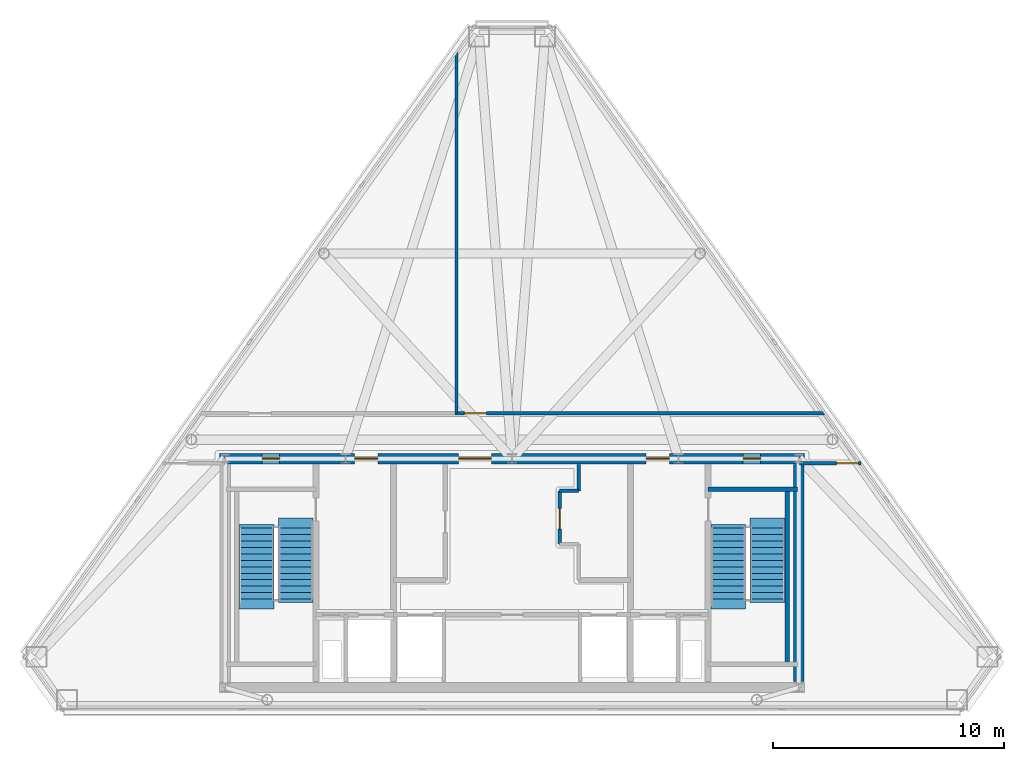
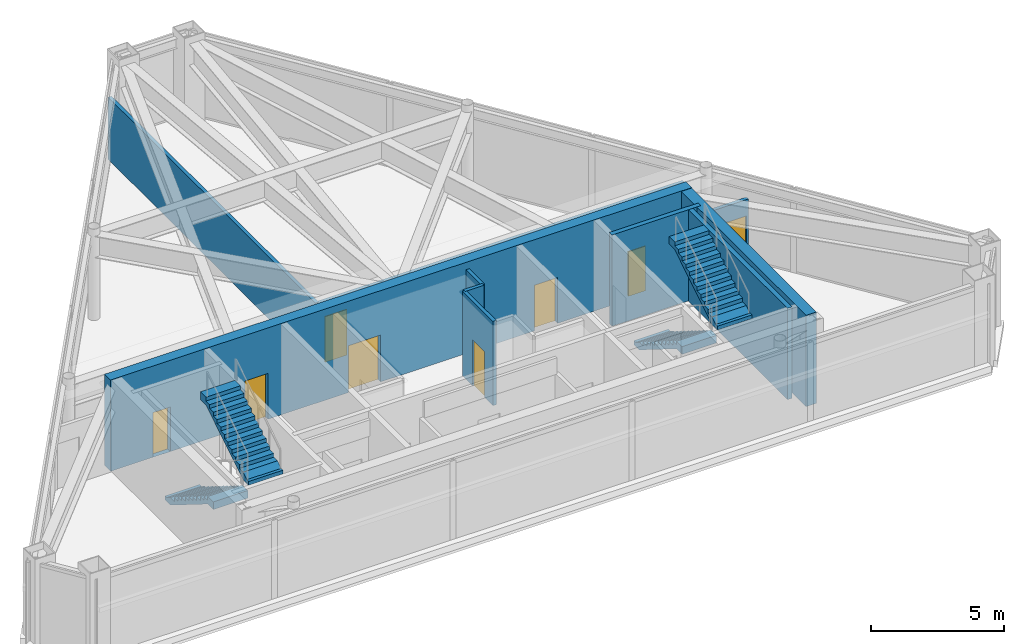
# One storey, part 4 of 5: 10 walls, 8 doors, 4 stair flights, 8 openings, 2 elements without a shape of their own.
"""IFC4 building model written with IfcOpenShell, lengths in metres."""

from ifc_helpers import new_model, si_unit, direction, frame, frame_2d, origin, place, context, subcontext, project, spatial, polyline, rectangle, outline, extrude, material, layer, layer_set, type_object, element, fill, aggregate, save


model = new_model("IFC4")

# Units and contexts
model_context = context("Model", 3, precision=1e-05, world=origin(), true_north=direction((0.0, 1.0)))
body_context = subcontext(model_context, "Body", "Model", "MODEL_VIEW")
ifc_project = project(units=[si_unit("LENGTHUNIT", "METRE"), si_unit("AREAUNIT", "SQUARE_METRE"), si_unit("VOLUMEUNIT", "CUBIC_METRE"), si_unit("PLANEANGLEUNIT", "RADIAN"), si_unit("MASSUNIT", "GRAM", prefix="KILO")], contexts=[model_context])

# Site, building, storey
site_placement = place(None, origin())
site = spatial("IfcSite", under=ifc_project, at=site_placement, CompositionType="ELEMENT")
building_placement = place(site_placement, origin())
building = spatial("IfcBuilding", under=site, at=building_placement, Name="Talgorran Terracotta Tower", CompositionType="ELEMENT")
storey_placement = place(building_placement, frame((0.0, 0.0, 297.60009765625)))
storey = spatial("IfcBuildingStorey", under=building, at=storey_placement, Name="L78", CompositionType="ELEMENT", Elevation=297.60009765625)

# Walls
ifc_material_1 = material(Name="Concrete C50/60", Category="concrete")
ifc_layer_1 = layer(ifc_material_1, 0.199951171875, Name="WT_CORE_200")
ifc_layer_set_1 = layer_set([ifc_layer_1], Name="Concrete C50/60")
wall_type_1 = type_object("IfcWallType", Name="WT_CORE_200", PredefinedType="SOLIDWALL", material=ifc_layer_set_1)
wall_1_placement = place(storey_placement, frame((8.47998046875, -5.52001953125, 0.0), z_axis=(0.0, 0.0, 1.0), x_axis=(1.0, 0.0, 0.0)))
element("IfcWall", 1, at=wall_1_placement, inside=storey, type_object=wall_type_1, Name="WL-L78-CW-ST2-N", PredefinedType="SOLIDWALL", context=body_context, shape_type="SweptSolid", body=[
    extrude(rectangle(XDim=3.8701171875, YDim=0.199951171875, at=frame_2d((1.93505859375, 0.0))), origin(), (0.0, 0.0, 1.0), 4.199951171875),
])
wall_2_placement = place(storey_placement, frame((11.89990234375, -13.10009765625, 0.0), z_axis=(0.0, 0.0, 1.0), x_axis=(0.0, 1.0, 0.0)))
element("IfcWall", 2, at=wall_2_placement, inside=storey, type_object=wall_type_1, Name="WL-L78-CW-ST2-E", PredefinedType="SOLIDWALL", context=body_context, shape_type="SweptSolid", body=[
    extrude(rectangle(XDim=7.580078125, YDim=0.199951171875, at=frame_2d((3.7900390625, 0.0))), origin(), (0.0, 0.0, 1.0), 4.199951171875),
])

# Wall, openings, doors
ifc_material_2 = material(Name="Concrete C65/80", Category="concrete")
ifc_layer_2 = layer(ifc_material_2, 0.449951171875, Name="WT_CORE_EXT")
ifc_layer_set_2 = layer_set([ifc_layer_2], Name="Concrete C65/80")
wall_type_2 = type_object("IfcWallType", Name="WT_CORE_EXT", PredefinedType="SHEAR", material=ifc_layer_set_2)
wall_3_placement = place(storey_placement, frame((-12.64990234375, -4.199951171875, 0.0), z_axis=(0.0, 0.0, 1.0), x_axis=(1.0, 0.0, 0.0)))
wall_3 = element("IfcWall", 3, at=wall_3_placement, inside=storey, type_object=wall_type_2, Name="WL-L78-CW-OUT-N", PredefinedType="SHEAR", context=body_context, shape_type="SweptSolid", body=[
    extrude(rectangle(XDim=25.2998046875, YDim=0.449951171875, at=frame_2d((12.64990234375, 0.0))), origin(), (0.0, 0.0, 1.0), 4.199951171875),
])
opening_1_placement = place(wall_3_placement, frame((1.85009765625, 0.0, 0.0)))
opening_1 = element("IfcOpeningElement", 4, at=opening_1_placement, cuts=wall_3, Name="Opening DR-CSN1", PredefinedType="OPENING", context=body_context, shape_type="SweptSolid", body=[
    extrude(rectangle(XDim=0.756, YDim=2.054048828125, at=frame_2d((0.375, 1.027099609375))), frame((0.0, 0.23486328125, 0.0), z_axis=(0.0, -1.0, 0.0), x_axis=(1.0, 0.0, 0.0)), (0.0, 0.0, 1.0), 0.469970703125),
])
opening_2_placement = place(wall_3_placement, frame((22.64990234375, 0.0, 0.0)))
opening_2 = element("IfcOpeningElement", 5, at=opening_2_placement, cuts=wall_3, Name="Opening DR-CSN2", PredefinedType="OPENING", context=body_context, shape_type="SweptSolid", body=[
    extrude(rectangle(XDim=0.756, YDim=2.054048828125, at=frame_2d((0.375, 1.027099609375))), frame((0.0, 0.23486328125, 0.0), z_axis=(0.0, -1.0, 0.0), x_axis=(1.0, 0.0, 0.0)), (0.0, 0.0, 1.0), 0.469970703125),
])
opening_3_placement = place(wall_3_placement, frame((5.85009765625, 0.0, 0.0)))
opening_3 = element("IfcOpeningElement", 6, at=opening_3_placement, cuts=wall_3, Name="Opening DR-FFLW-N", PredefinedType="OPENING", context=body_context, shape_type="SweptSolid", body=[
    extrude(rectangle(XDim=1.006, YDim=2.10409765625, at=frame_2d((0.5, 1.052001953125))), frame((0.0, 0.23486328125, 0.0), z_axis=(0.0, -1.0, 0.0), x_axis=(1.0, 0.0, 0.0)), (0.0, 0.0, 1.0), 0.469970703125),
])
opening_4_placement = place(wall_3_placement, frame((10.35009765625, 0.0, 0.0)))
opening_4 = element("IfcOpeningElement", 7, at=opening_4_placement, cuts=wall_3, Name="Opening DR-PLL-N", PredefinedType="OPENING", context=body_context, shape_type="SweptSolid", body=[
    extrude(rectangle(XDim=1.40590234375, YDim=2.15390234375, at=frame_2d((0.699951171875, 1.076904296875))), frame((0.0, 0.23486328125, 0.0), z_axis=(0.0, -1.0, 0.0), x_axis=(1.0, 0.0, 0.0)), (0.0, 0.0, 1.0), 0.469970703125),
])
opening_5_placement = place(wall_3_placement, frame((18.449951171875, 0.0, 0.0)))
opening_5 = element("IfcOpeningElement", 8, at=opening_5_placement, cuts=wall_3, Name="Opening DR-FFLE-N", PredefinedType="OPENING", context=body_context, shape_type="SweptSolid", body=[
    extrude(rectangle(XDim=1.006, YDim=2.10409765625, at=frame_2d((0.5, 1.052001953125))), frame((0.0, 0.23486328125, 0.0), z_axis=(0.0, -1.0, 0.0), x_axis=(1.0, 0.0, 0.0)), (0.0, 0.0, 1.0), 0.469970703125),
])
ifc_material_3 = material(Name="Acoustic Glazed Timber", Category="wood")
door_type_1 = type_object("IfcDoorType", Name="DT_DOUBLE_1400", OperationType="DOUBLE_DOOR_SINGLE_SWING", PredefinedType="DOOR", material=ifc_material_3)
door_1_placement = place(opening_4_placement, origin())
door_1 = element("IfcDoor", 9, at=door_1_placement, inside=storey, type_object=door_type_1, Name="DR-PLL-N", OperationType="DOUBLE_DOOR_SINGLE_SWING", OverallHeight=2.14990234375, OverallWidth=1.39990234375, PredefinedType="DOOR", context=body_context, shape_type="SweptSolid", body=[
    extrude(rectangle(XDim=1.39990234375, YDim=2.14990234375, at=frame_2d((0.699951171875, 1.074951171875))), frame((0.0, 0.02490234375, 0.0), z_axis=(0.0, -1.0, 0.0), x_axis=(1.0, 0.0, 0.0)), (0.0, 0.0, 1.0), 0.050048828125),
])
fill(opening_4, door_1)
ifc_material_4 = material(Name="Fire-Rated Pressed Steel", Category="steel")
door_type_2 = type_object("IfcDoorType", Name="DT_FIRE_1000", OperationType="NOTDEFINED", PredefinedType="DOOR", material=ifc_material_4)
door_2_placement = place(opening_3_placement, origin())
door_2 = element("IfcDoor", 10, at=door_2_placement, inside=storey, type_object=door_type_2, Name="DR-FFLW-N", OperationType="SINGLE_SWING_LEFT", OverallHeight=2.10009765625, OverallWidth=1.0, PredefinedType="DOOR", context=body_context, shape_type="SweptSolid", body=[
    extrude(rectangle(XDim=1.0, YDim=2.10009765625, at=frame_2d((0.5, 1.050048828125))), frame((0.0, 0.02490234375, 0.0), z_axis=(0.0, -1.0, 0.0), x_axis=(1.0, 0.0, 0.0)), (0.0, 0.0, 1.0), 0.050048828125),
])
fill(opening_3, door_2)
door_3_placement = place(opening_5_placement, origin())
door_3 = element("IfcDoor", 11, at=door_3_placement, inside=storey, type_object=door_type_2, Name="DR-FFLE-N", OperationType="SINGLE_SWING_RIGHT", OverallHeight=2.10009765625, OverallWidth=1.0, PredefinedType="DOOR", context=body_context, shape_type="SweptSolid", body=[
    extrude(rectangle(XDim=1.0, YDim=2.10009765625, at=frame_2d((0.5, 1.050048828125))), frame((0.0, 0.02490234375, 0.0), z_axis=(0.0, -1.0, 0.0), x_axis=(1.0, 0.0, 0.0)), (0.0, 0.0, 1.0), 0.050048828125),
])
fill(opening_5, door_3)
door_type_3 = type_object("IfcDoorType", Name="DT_RISER_750", OperationType="NOTDEFINED", PredefinedType="DOOR", material=ifc_material_4)
door_4_placement = place(opening_1_placement, origin())
door_4 = element("IfcDoor", 12, at=door_4_placement, inside=storey, type_object=door_type_3, Name="DR-CSN1", OperationType="SINGLE_SWING_LEFT", OverallHeight=2.050048828125, OverallWidth=0.75, PredefinedType="DOOR", context=body_context, shape_type="SweptSolid", body=[
    extrude(rectangle(XDim=0.75, YDim=2.050048828125, at=frame_2d((0.375, 1.02490234375))), frame((0.0, 0.02490234375, 0.0), z_axis=(0.0, -1.0, 0.0), x_axis=(1.0, 0.0, 0.0)), (0.0, 0.0, 1.0), 0.050048828125),
])
fill(opening_1, door_4)
door_5_placement = place(opening_2_placement, origin())
door_5 = element("IfcDoor", 13, at=door_5_placement, inside=storey, type_object=door_type_3, Name="DR-CSN2", OperationType="SINGLE_SWING_RIGHT", OverallHeight=2.050048828125, OverallWidth=0.75, PredefinedType="DOOR", context=body_context, shape_type="SweptSolid", body=[
    extrude(rectangle(XDim=0.75, YDim=2.050048828125, at=frame_2d((0.375, 1.02490234375))), frame((0.0, 0.02490234375, 0.0), z_axis=(0.0, -1.0, 0.0), x_axis=(1.0, 0.0, 0.0)), (0.0, 0.0, 1.0), 0.050048828125),
])
fill(opening_2, door_5)

# Wall
wall_4_placement = place(storey_placement, frame((12.39990234375, -13.85009765625, 0.0), z_axis=(0.0, 0.0, 1.0), x_axis=(0.0, 1.0, 0.0)))
element("IfcWall", 14, at=wall_4_placement, inside=storey, type_object=wall_type_2, Name="WL-L78-CW-OUT-E", PredefinedType="SHEAR", context=body_context, shape_type="SweptSolid", body=[
    extrude(rectangle(XDim=9.400146484375, YDim=0.449951171875, at=frame_2d((4.7001953125, 0.0))), origin(), (0.0, 0.0, 1.0), 4.199951171875),
])

# Wall, opening, door
ifc_material_5 = material(Name="Fire-Rated Steel Stud Plasterboard", Category="steel")
ifc_layer_3 = layer(ifc_material_5, 0.14990234375, Name="WT_FIRE_150")
ifc_layer_set_3 = layer_set([ifc_layer_3], Name="Fire-Rated Steel Stud Plasterboard")
wall_type_3 = type_object("IfcWallType", Name="WT_FIRE_150", PredefinedType="PARTITIONING", material=ifc_layer_set_3)
wall_5_placement = place(storey_placement, frame((2.06005859375, -7.89990234375, 0.0), z_axis=(0.0, 0.0, 1.0), x_axis=(0.0, 1.0, 0.0)))
wall_5 = element("IfcWall", 15, at=wall_5_placement, inside=storey, type_object=wall_type_3, Name="WL-L78-CW-V-E3C", PredefinedType="PARTITIONING", context=body_context, shape_type="SweptSolid", body=[
    extrude(rectangle(XDim=2.2998046875, YDim=0.14990234375, at=frame_2d((1.14990234375, 0.0))), origin(), (0.0, 0.0, 1.0), 3.8798828125),
])
opening_6_placement = place(wall_5_placement, frame((0.64990234375, 0.0, 0.0)))
opening_6 = element("IfcOpeningElement", 16, at=opening_6_placement, cuts=wall_5, Name="Opening DR-FRPLM-B", PredefinedType="OPENING", context=body_context, shape_type="SweptSolid", body=[
    extrude(rectangle(XDim=0.8858828125, YDim=2.10409765625, at=frame_2d((0.43994140625, 1.052001953125))), frame((0.0, 0.0849609375, 0.0), z_axis=(0.0, -1.0, 0.0), x_axis=(1.0, 0.0, 0.0)), (0.0, 0.0, 1.0), 0.169921875),
])
ifc_material_6 = material(Name="Solid-Core Painted Timber", Category="wood")
door_type_4 = type_object("IfcDoorType", Name="DT_INT_880", OperationType="NOTDEFINED", PredefinedType="DOOR", material=ifc_material_6)
door_6_placement = place(opening_6_placement, origin())
door_6 = element("IfcDoor", 17, at=door_6_placement, inside=storey, type_object=door_type_4, Name="DR-FRPLM-B", OperationType="SINGLE_SWING_RIGHT", OverallHeight=2.10009765625, OverallWidth=0.8798828125, PredefinedType="DOOR", context=body_context, shape_type="SweptSolid", body=[
    extrude(rectangle(XDim=0.8798828125, YDim=2.10009765625, at=frame_2d((0.43994140625, 1.050048828125))), frame((0.0, 0.02490234375, 0.0), z_axis=(0.0, -1.0, 0.0), x_axis=(1.0, 0.0, 0.0)), (0.0, 0.0, 1.0), 0.050048828125),
])
fill(opening_6, door_6)

# Walls
wall_6_placement = place(storey_placement, frame((2.06005859375, -5.60009765625, 0.0), z_axis=(0.0, 0.0, 1.0), x_axis=(1.0, 0.0, 0.0)))
element("IfcWall", 18, at=wall_6_placement, inside=storey, type_object=wall_type_3, Name="WL-L78-CW-H-E3D", PredefinedType="PARTITIONING", context=body_context, shape_type="SweptSolid", body=[
    extrude(rectangle(XDim=0.81982421875, YDim=0.14990234375, at=frame_2d((0.409912109375, 0.0))), origin(), (0.0, 0.0, 1.0), 3.8798828125),
])
wall_7_placement = place(storey_placement, frame((2.8798828125, -5.60009765625, 0.0), z_axis=(0.0, 0.0, 1.0), x_axis=(0.0, 1.0, 0.0)))
element("IfcWall", 19, at=wall_7_placement, inside=storey, type_object=wall_type_3, Name="WL-L78-CW-V-E3E", PredefinedType="PARTITIONING", context=body_context, shape_type="SweptSolid", body=[
    extrude(rectangle(XDim=1.150146484375, YDim=0.14990234375, at=frame_2d((0.5751953125, 0.0))), origin(), (0.0, 0.0, 1.0), 3.8798828125),
])

# Wall, opening, door
wall_8_placement = place(storey_placement, frame((-2.4599609375, -2.239990234375, 0.0), z_axis=(0.0, 0.0, 1.0), x_axis=(1.0, 0.0, 0.0)))
wall_8 = element("IfcWall", 20, at=wall_8_placement, inside=storey, type_object=wall_type_3, Name="WL-L78-W-L78-R04", PredefinedType="PARTITIONING", context=body_context, shape_type="SweptSolid", body=[
    extrude(rectangle(XDim=16.002685546875, YDim=0.14990234375, at=frame_2d((8.00146484375, 0.0))), origin(), (0.0, 0.0, 1.0), 2.85498046875),
])
opening_7_placement = place(wall_8_placement, frame((0.39990234375, 0.0, 0.0)))
opening_7 = element("IfcOpeningElement", 21, at=opening_7_placement, cuts=wall_8, Name="Opening DR-L78-R04", PredefinedType="OPENING", context=body_context, shape_type="SweptSolid", body=[
    extrude(rectangle(XDim=0.955951171875, YDim=2.10409765625, at=frame_2d((0.47509765625, 1.052001953125))), frame((0.0, 0.0849609375, 0.0), z_axis=(0.0, -1.0, 0.0), x_axis=(1.0, 0.0, 0.0)), (0.0, 0.0, 1.0), 0.169921875),
])
ifc_material_7 = material(Name="Fire-Rated Timber Core", Category="wood")
door_type_5 = type_object("IfcDoorType", Name="DT_FIRE_950", OperationType="NOTDEFINED", PredefinedType="DOOR", material=ifc_material_7)
door_7_placement = place(opening_7_placement, origin())
door_7 = element("IfcDoor", 22, at=door_7_placement, inside=storey, type_object=door_type_5, Name="DR-L78-R04", OperationType="SINGLE_SWING_RIGHT", OverallHeight=2.10009765625, OverallWidth=0.949951171875, PredefinedType="DOOR", context=body_context, shape_type="SweptSolid", body=[
    extrude(rectangle(XDim=0.949951171875, YDim=2.10009765625, at=frame_2d((0.47509765625, 1.050048828125))), frame((0.0, 0.02490234375, 0.0), z_axis=(0.0, -1.0, 0.0), x_axis=(1.0, 0.0, 0.0)), (0.0, 0.0, 1.0), 0.050048828125),
])
fill(opening_7, door_7)

# Wall
wall_9_placement = place(storey_placement, frame((-2.39990234375, -2.239990234375, 0.0), z_axis=(0.0, 0.0, 1.0), x_axis=(0.0, 1.0, 0.0)))
element("IfcWall", 23, at=wall_9_placement, inside=storey, type_object=wall_type_3, Name="WL-L78-W-L78-R05", PredefinedType="PARTITIONING", context=body_context, shape_type="SweptSolid", body=[
    extrude(rectangle(XDim=15.619140625, YDim=0.14990234375, at=frame_2d((7.8095703125, 0.0))), origin(), (0.0, 0.0, 1.0), 2.85498046875),
])

# Wall, opening, door
wall_10_placement = place(storey_placement, frame((12.43994140625, -4.39990234375, 0.0), z_axis=(0.0, 0.0, 1.0), x_axis=(1.0, 0.0, 0.0)))
wall_10 = element("IfcWall", 24, at=wall_10_placement, inside=storey, type_object=wall_type_3, Name="WL-L78-W-L78-R02", PredefinedType="PARTITIONING", context=body_context, shape_type="SweptSolid", body=[
    extrude(rectangle(XDim=2.6435546875, YDim=0.14990234375, at=frame_2d((1.32177734375, 0.0))), origin(), (0.0, 0.0, 1.0), 2.85498046875),
])
opening_8_placement = place(wall_10_placement, frame((1.593505859375, 0.0, 0.0)))
opening_8 = element("IfcOpeningElement", 25, at=opening_8_placement, cuts=wall_10, Name="Opening DR-L78-R02", PredefinedType="OPENING", context=body_context, shape_type="SweptSolid", body=[
    extrude(rectangle(XDim=0.955951171875, YDim=2.10409765625, at=frame_2d((0.47509765625, 1.052001953125))), frame((0.0, 0.0849609375, 0.0), z_axis=(0.0, -1.0, 0.0), x_axis=(1.0, 0.0, 0.0)), (0.0, 0.0, 1.0), 0.169921875),
])
door_8_placement = place(opening_8_placement, origin())
door_8 = element("IfcDoor", 26, at=door_8_placement, inside=storey, type_object=door_type_5, Name="DR-L78-R02", OperationType="SINGLE_SWING_RIGHT", OverallHeight=2.10009765625, OverallWidth=0.949951171875, PredefinedType="DOOR", context=body_context, shape_type="SweptSolid", body=[
    extrude(rectangle(XDim=0.949951171875, YDim=2.10009765625, at=frame_2d((0.47509765625, 1.050048828125))), frame((0.0, 0.02490234375, 0.0), z_axis=(0.0, -1.0, 0.0), x_axis=(1.0, 0.0, 0.0)), (0.0, 0.0, 1.0), 0.050048828125),
])
fill(opening_8, door_8)

# Stair, stair flights
ifc_material_8 = material(Name="Concrete C40/50", Category="concrete")
stair_type = type_object("IfcStairType", Name="ST_FIRE_SCISSOR", PredefinedType="HALF_TURN_STAIR", material=ifc_material_8)
stair_1_placement = place(storey_placement, origin())
stair_1 = element("IfcStair", 27, at=stair_1_placement, inside=storey, type_object=stair_type, Name="L78 West Protected Fire Stair ST-01", PredefinedType="HALF_TURN_STAIR")
ifc_layer_4 = layer(ifc_material_8, 0.179931640625, Name="STF_RC_1500")
ifc_layer_set_4 = layer_set([ifc_layer_4], Name="Concrete C40/50")
stair_flight_type = type_object("IfcStairFlightType", Name="STF_RC_1500", PredefinedType="STRAIGHT", material=ifc_layer_set_4)
stair_flight_1_placement = place(storey_placement, frame((-11.050048828125, -7.199951171875, 0.0), z_axis=(0.0, 0.0, 1.0), x_axis=(0.0, -1.0, 0.0)))
stair_flight_1 = element("IfcStairFlight", 28, at=stair_flight_1_placement, type_object=stair_flight_type, Name="ST-01 flight 1", NumberOfRisers=12, NumberOfTreads=11, PredefinedType="STRAIGHT", RiserHeight=0.175, TreadLength=0.28, context=body_context, shape_type="SweptSolid", body=[
    extrude(outline(polyline([(-0.139892578125, 0.0), (-0.139892578125, 0.175048828125), (0.0, 0.175048828125), (0.280029296875, 0.35009765625), (0.56005859375, 0.35009765625), (0.56005859375, 0.52490234375), (0.840087890625, 0.52490234375), (0.840087890625, 0.699951171875), (1.1201171875, 0.699951171875), (1.1201171875, 0.875), (1.39990234375, 0.875), (1.39990234375, 1.050048828125), (1.679931640625, 1.050048828125), (1.679931640625, 1.22509765625), (1.9599609375, 1.22509765625), (1.9599609375, 1.39990234375), (2.239990234375, 1.39990234375), (2.239990234375, 1.574951171875), (2.52001953125, 1.574951171875), (2.52001953125, 1.75), (2.800048828125, 1.75), (2.800048828125, 1.925048828125), (3.080078125, 1.925048828125), (3.080078125, 2.10009765625), (3.5, 2.10009765625), (3.5, 1.748291015625), (3.080078125, 1.748291015625), (0.28271484375, 0.0), (-0.139892578125, 0.0)])), frame((0.0, 0.75, 0.0), z_axis=(0.0, -1.0, 0.0), x_axis=(1.0, 0.0, 0.0)), (0.0, 0.0, 1.0), 1.5),
])
stair_flight_2_placement = place(storey_placement, frame((-9.35009765625, -10.280029296875, 2.099853515625), z_axis=(0.0, 0.0, 1.0), x_axis=(0.0, 1.0, 0.0)))
stair_flight_2 = element("IfcStairFlight", 29, at=stair_flight_2_placement, type_object=stair_flight_type, Name="ST-01 flight 2", NumberOfRisers=12, NumberOfTreads=11, PredefinedType="STRAIGHT", RiserHeight=0.175, TreadLength=0.28, context=body_context, shape_type="SweptSolid", body=[
    extrude(outline(polyline([(-0.139892578125, 0.0), (-0.139892578125, 0.175048828125), (0.0, 0.175048828125), (0.280029296875, 0.35009765625), (0.56005859375, 0.35009765625), (0.56005859375, 0.52490234375), (0.840087890625, 0.52490234375), (0.840087890625, 0.699951171875), (1.1201171875, 0.699951171875), (1.1201171875, 0.875), (1.39990234375, 0.875), (1.39990234375, 1.050048828125), (1.679931640625, 1.050048828125), (1.679931640625, 1.22509765625), (1.9599609375, 1.22509765625), (1.9599609375, 1.39990234375), (2.239990234375, 1.39990234375), (2.239990234375, 1.574951171875), (2.52001953125, 1.574951171875), (2.52001953125, 1.75), (2.800048828125, 1.75), (2.800048828125, 1.925048828125), (3.080078125, 1.925048828125), (3.080078125, 2.10009765625), (3.5, 2.10009765625), (3.5, 1.748291015625), (3.080078125, 1.748291015625), (0.28271484375, 0.0), (-0.139892578125, 0.0)])), frame((0.0, 0.75, 0.0), z_axis=(0.0, -1.0, 0.0), x_axis=(1.0, 0.0, 0.0)), (0.0, 0.0, 1.0), 1.5),
])
aggregate(stair_1, [stair_flight_1, stair_flight_2])

stair_2_placement = place(storey_placement, origin())
stair_2 = element("IfcStair", 30, at=stair_2_placement, inside=storey, type_object=stair_type, Name="L78 East Protected Fire Stair ST-02", PredefinedType="HALF_TURN_STAIR")
stair_flight_3_placement = place(storey_placement, frame((9.35009765625, -7.199951171875, 0.0), z_axis=(0.0, 0.0, 1.0), x_axis=(0.0, -1.0, 0.0)))
stair_flight_3 = element("IfcStairFlight", 31, at=stair_flight_3_placement, type_object=stair_flight_type, Name="ST-02 flight 1", NumberOfRisers=12, NumberOfTreads=11, PredefinedType="STRAIGHT", RiserHeight=0.175, TreadLength=0.28, context=body_context, shape_type="SweptSolid", body=[
    extrude(outline(polyline([(-0.139892578125, 0.0), (-0.139892578125, 0.175048828125), (0.0, 0.175048828125), (0.280029296875, 0.35009765625), (0.56005859375, 0.35009765625), (0.56005859375, 0.52490234375), (0.840087890625, 0.52490234375), (0.840087890625, 0.699951171875), (1.1201171875, 0.699951171875), (1.1201171875, 0.875), (1.39990234375, 0.875), (1.39990234375, 1.050048828125), (1.679931640625, 1.050048828125), (1.679931640625, 1.22509765625), (1.9599609375, 1.22509765625), (1.9599609375, 1.39990234375), (2.239990234375, 1.39990234375), (2.239990234375, 1.574951171875), (2.52001953125, 1.574951171875), (2.52001953125, 1.75), (2.800048828125, 1.75), (2.800048828125, 1.925048828125), (3.080078125, 1.925048828125), (3.080078125, 2.10009765625), (3.5, 2.10009765625), (3.5, 1.748291015625), (3.080078125, 1.748291015625), (0.28271484375, 0.0), (-0.139892578125, 0.0)])), frame((0.0, 0.75, 0.0), z_axis=(0.0, -1.0, 0.0), x_axis=(1.0, 0.0, 0.0)), (0.0, 0.0, 1.0), 1.5),
])
stair_flight_4_placement = place(storey_placement, frame((11.050048828125, -10.280029296875, 2.099853515625), z_axis=(0.0, 0.0, 1.0), x_axis=(0.0, 1.0, 0.0)))
stair_flight_4 = element("IfcStairFlight", 32, at=stair_flight_4_placement, type_object=stair_flight_type, Name="ST-02 flight 2", NumberOfRisers=12, NumberOfTreads=11, PredefinedType="STRAIGHT", RiserHeight=0.175, TreadLength=0.28, context=body_context, shape_type="SweptSolid", body=[
    extrude(outline(polyline([(-0.139892578125, 0.0), (-0.139892578125, 0.175048828125), (0.0, 0.175048828125), (0.280029296875, 0.35009765625), (0.56005859375, 0.35009765625), (0.56005859375, 0.52490234375), (0.840087890625, 0.52490234375), (0.840087890625, 0.699951171875), (1.1201171875, 0.699951171875), (1.1201171875, 0.875), (1.39990234375, 0.875), (1.39990234375, 1.050048828125), (1.679931640625, 1.050048828125), (1.679931640625, 1.22509765625), (1.9599609375, 1.22509765625), (1.9599609375, 1.39990234375), (2.239990234375, 1.39990234375), (2.239990234375, 1.574951171875), (2.52001953125, 1.574951171875), (2.52001953125, 1.75), (2.800048828125, 1.75), (2.800048828125, 1.925048828125), (3.080078125, 1.925048828125), (3.080078125, 2.10009765625), (3.5, 2.10009765625), (3.5, 1.748291015625), (3.080078125, 1.748291015625), (0.28271484375, 0.0), (-0.139892578125, 0.0)])), frame((0.0, 0.75, 0.0), z_axis=(0.0, -1.0, 0.0), x_axis=(1.0, 0.0, 0.0)), (0.0, 0.0, 1.0), 1.5),
])
aggregate(stair_2, [stair_flight_3, stair_flight_4])

save(model, "model.ifc")
